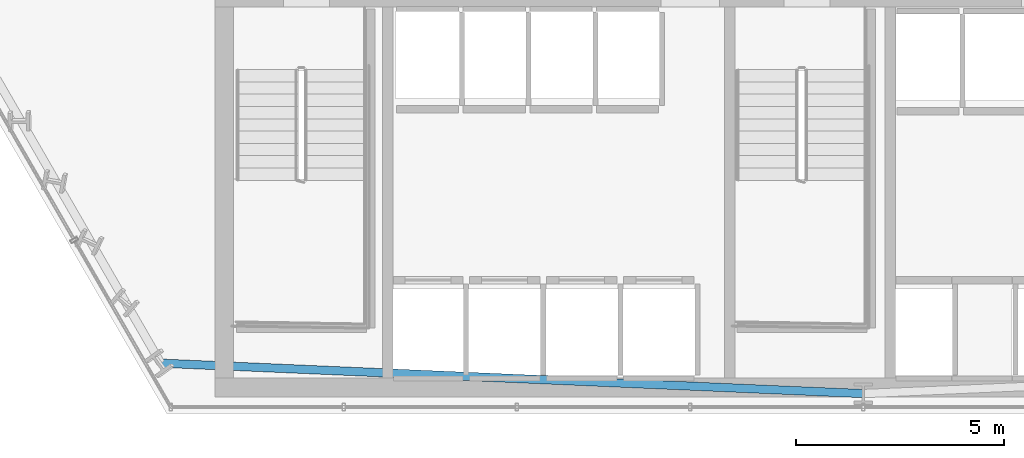
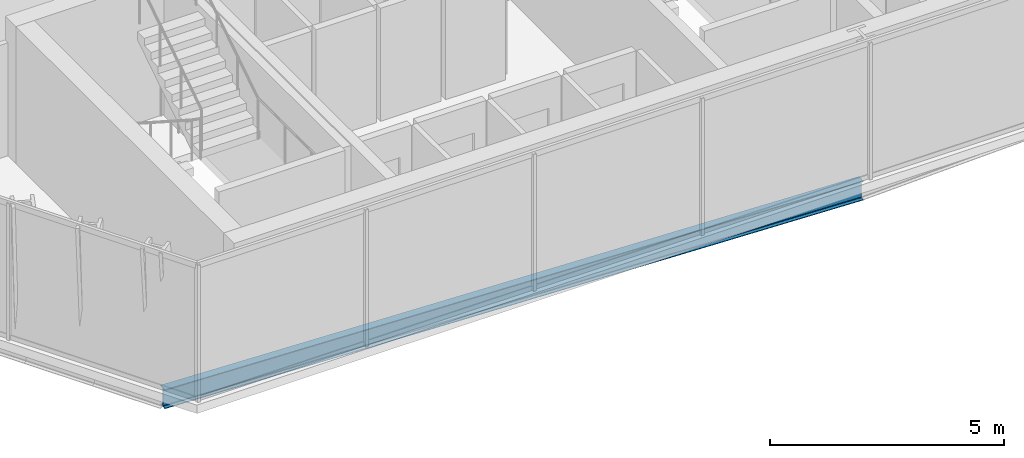
# One storey, part 3 of 32: 1 beam.
"""IFC4 building model written with IfcOpenShell, lengths in metres."""

from ifc_helpers import new_model, si_unit, direction, frame, origin, origin_2d, place, context, subcontext, project, spatial, i_section, extrude, material, material_profile, profile_set, type_object, element, save


model = new_model("IFC4")

# Units and contexts
model_context = context("Model", 3, precision=1e-05, world=origin(), true_north=direction((0.0, 1.0)))
body_context = subcontext(model_context, "Body", "Model", "MODEL_VIEW")
ifc_project = project(units=[si_unit("LENGTHUNIT", "METRE"), si_unit("AREAUNIT", "SQUARE_METRE"), si_unit("VOLUMEUNIT", "CUBIC_METRE"), si_unit("PLANEANGLEUNIT", "RADIAN"), si_unit("MASSUNIT", "GRAM", prefix="KILO")], contexts=[model_context])

# Site, building, storey
site_placement = place(None, origin())
site = spatial("IfcSite", under=ifc_project, at=site_placement, CompositionType="ELEMENT")
building_placement = place(site_placement, origin())
building = spatial("IfcBuilding", under=site, at=building_placement, Name="Ndaravel Arena Tower", CompositionType="ELEMENT")
storey_placement = place(building_placement, frame((0.0, 0.0, 96.800048828125)))
storey = spatial("IfcBuildingStorey", under=building, at=storey_placement, Name="L22", CompositionType="ELEMENT", Elevation=96.800048828125)

# Beam
ifc_material = material(Name="Steel S355", Category="steel")
ifc_material_profile = material_profile(ifc_material, i_section(OverallWidth=0.199951171875, OverallDepth=0.5, WebThickness=0.01025390625, FlangeThickness=0.01611328125, FilletRadius=0.02099609375, at=origin_2d()), Name="IPE 500")
ifc_profile_set = profile_set([ifc_material_profile], Name="Steel S355")
beam_type = type_object("IfcBeamType", Name="BM-SPAN-IPE500", PredefinedType="SPANDREL", material=ifc_profile_set)
beam_placement = place(storey_placement, frame((25.15087890625, 6.2099609375, -0.469970703125), z_axis=(0.999062811126, -0.043283939567, 0.0), x_axis=(0.043283939567, 0.999062811126, 0.0)))
element("IfcBeam", 1, at=beam_placement, inside=storey, type_object=beam_type, Name="L22 Perimeter Spandrel Beam SP-27", PredefinedType="SPANDREL", context=body_context, shape_type="SweptSolid", body=[
    extrude(i_section(OverallWidth=0.199951171875, OverallDepth=0.5, WebThickness=0.01025390625, FlangeThickness=0.01611328125, FilletRadius=0.02099609375, at=origin_2d()), origin(), (0.0, 0.0, 1.0), 16.864990234375),
])

save(model, "model.ifc")
